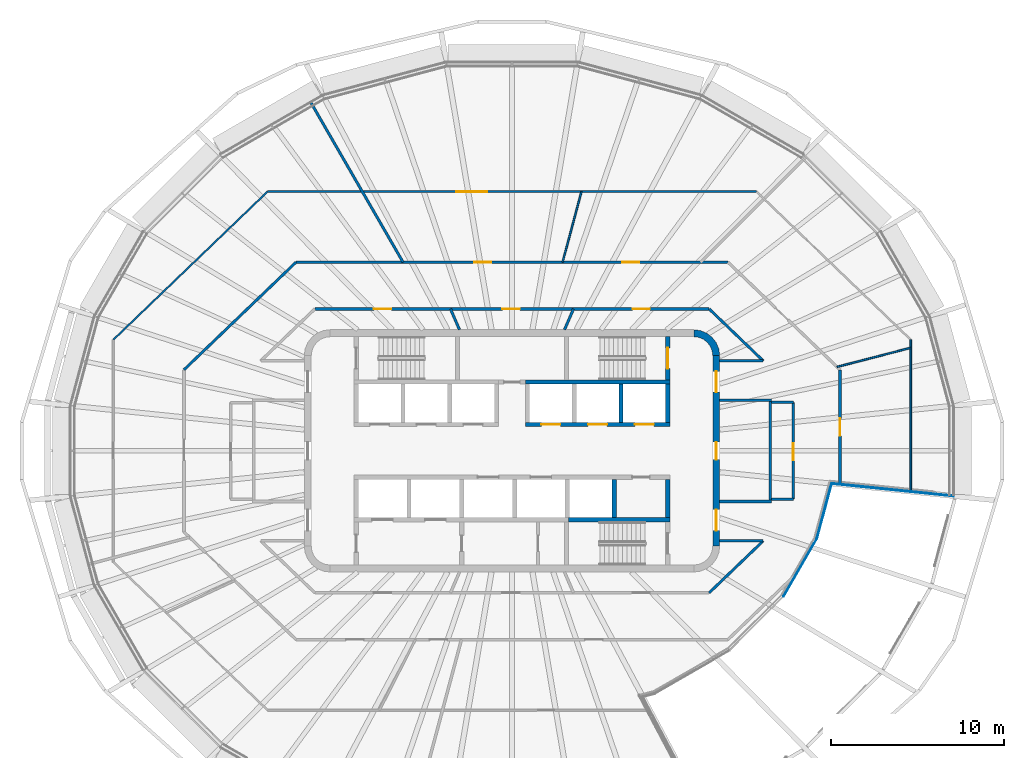
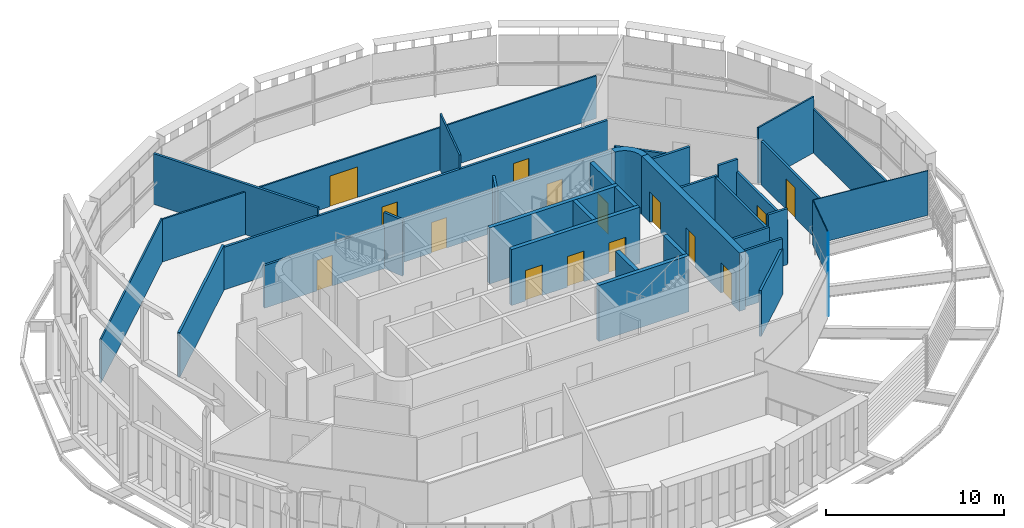
# One storey, part 10 of 18: 35 walls, 15 doors, 15 openings.
"""IFC4 building model written with IfcOpenShell, lengths in metres."""

import ifcopenshell
import ifcopenshell.guid

model = None  # the IFC model being written
_history = None  # IfcOwnerHistory: only IFC2X3 demands one
_inside = {}  # id of a spatial element -> (the spatial element, [elements in it])
_under = {}  # id of a project, library or spatial element -> (it, [spatial elements below it])
_declared = {}  # id of a project -> (the project, [libraries it declares])
_typed = {}  # id of a type object -> (the type object, [elements of that type])
_made_of = {}  # id of a material, layer set ... -> (it, [elements and type objects made of it])


def new_model(schema):
    """Start an empty IFC model of exactly this schema.

    Asked for "IFC4X3", IfcOpenShell would pick the latest addendum, in which some entities
    have other attributes; the version numbers below select the first issue.
    IFC2X3 requires an IfcOwnerHistory on every rooted entity: one is made here for all.
    """
    global model, _history
    if schema == "IFC4X3":
        model = ifcopenshell.file(schema_version=(4, 3, 0, 0))
    else:
        model = ifcopenshell.file(schema=schema)
    _inside.clear()
    _under.clear()
    _declared.clear()
    _typed.clear()
    _made_of.clear()
    _history = None
    if model.schema == "IFC2X3":
        org = make("IfcOrganization", Name="unknown")
        user = make(
            "IfcPersonAndOrganization",
            ThePerson=make("IfcPerson", FamilyName="unknown"),
            TheOrganization=org,
        )
        app = make(
            "IfcApplication",
            ApplicationDeveloper=org,
            Version="unknown",
            ApplicationFullName="unknown",
            ApplicationIdentifier="unknown",
        )
        _history = make(
            "IfcOwnerHistory",
            OwningUser=user,
            OwningApplication=app,
            ChangeAction="ADDED",
            CreationDate=0,
        )
    return model


def make(cls, **values):
    """One entity of the class cls with the attributes given. An attribute that is None is left unset."""
    return model.create_entity(
        cls, **{name: value for name, value in values.items() if value is not None}
    )


def rooted(cls, **values):
    """An entity with a GlobalId (a new one), such as an element, a storey or a relation."""
    return make(cls, GlobalId=ifcopenshell.guid.new(), OwnerHistory=_history, **values)


def si_unit(unit_type, name, prefix=None):
    """IfcSIUnit, for example si_unit("LENGTHUNIT", "METRE", prefix="MILLI")."""
    return make("IfcSIUnit", UnitType=unit_type, Prefix=prefix, Name=name)


def assignment(units):
    """IfcUnitAssignment: the units of a project."""
    return None if units is None else make("IfcUnitAssignment", Units=units)


def point(xyz):
    """IfcCartesianPoint."""
    return None if xyz is None else make("IfcCartesianPoint", Coordinates=xyz)


def direction(xyz):
    """IfcDirection."""
    return None if xyz is None else make("IfcDirection", DirectionRatios=xyz)


def frame(location, z_axis=None, x_axis=None):
    """IfcAxis2Placement3D, a coordinate frame: its origin and axes. An axis left out is left unset."""
    return make(
        "IfcAxis2Placement3D",
        Location=point(location),
        Axis=direction(z_axis),
        RefDirection=direction(x_axis),
    )


def frame_2d(location, x_axis=None):
    """IfcAxis2Placement2D, a coordinate frame in the plane: its origin and x axis."""
    return make(
        "IfcAxis2Placement2D", Location=point(location), RefDirection=direction(x_axis)
    )


def origin():
    """The frame at (0, 0, 0) with its axes left unset."""
    return frame((0.0, 0.0, 0.0))


def place(relative_to, where):
    """IfcLocalPlacement: puts the frame where relative to a parent placement (None: the world)."""
    return make(
        "IfcLocalPlacement", PlacementRelTo=relative_to, RelativePlacement=where
    )


def context(
    kind, dimensions, precision=None, world=None, true_north=None, identifier=None
):
    """IfcGeometricRepresentationContext, for example the 3D "Model" context."""
    return make(
        "IfcGeometricRepresentationContext",
        ContextIdentifier=identifier,
        ContextType=kind,
        CoordinateSpaceDimension=dimensions,
        Precision=precision,
        WorldCoordinateSystem=world,
        TrueNorth=true_north,
    )


def subcontext(parent, identifier, kind, view, scale=None):
    """IfcGeometricRepresentationSubContext, for example "Body" below "Model"."""
    return make(
        "IfcGeometricRepresentationSubContext",
        ContextIdentifier=identifier,
        ContextType=kind,
        ParentContext=parent,
        TargetScale=scale,
        TargetView=view,
    )


def project(units=None, contexts=None):
    """IfcProject with its units and contexts."""
    return rooted(
        "IfcProject",
        Name="project",
        RepresentationContexts=contexts,
        UnitsInContext=assignment(units),
    )


def spatial(cls, under=None, at=None, **own):
    """A site, building, storey or space (cls), placed at a placement, below another one or the project."""
    s = rooted(cls, ObjectPlacement=at, **own)
    if under is not None:
        _under.setdefault(under.id(), (under, []))[1].append(s)
    return s


def polyline(points):
    """IfcPolyline through the points."""
    return make("IfcPolyline", Points=[point(p) for p in points])


def profile(cls, at=None, kind="AREA", **sizes):
    """A parametric profile (cls). Its sizes go by their IFC names, for example OverallWidth=200.0."""
    return make(cls, ProfileType=kind, Position=at, **sizes)


def rectangle(**sizes):
    """IfcRectangleProfileDef."""
    return profile("IfcRectangleProfileDef", **sizes)


def outline(outer, holes=None, kind="AREA"):
    """IfcArbitraryClosedProfileDef: a profile drawn as a closed curve; with holes, ...WithVoids."""
    if holes is None:
        return make("IfcArbitraryClosedProfileDef", ProfileType=kind, OuterCurve=outer)
    return make(
        "IfcArbitraryProfileDefWithVoids",
        ProfileType=kind,
        OuterCurve=outer,
        InnerCurves=holes,
    )


def extrude(swept, where, along, depth):
    """IfcExtrudedAreaSolid: the profile swept, set in the frame where, extruded along a direction by depth."""
    return make(
        "IfcExtrudedAreaSolid",
        SweptArea=swept,
        Position=where,
        ExtrudedDirection=direction(along),
        Depth=depth,
    )


def shape(context_of_items, identifier, shape_type, items):
    """IfcShapeRepresentation: the items that make up one representation, for example the "Body"."""
    return make(
        "IfcShapeRepresentation",
        ContextOfItems=context_of_items,
        RepresentationIdentifier=identifier,
        RepresentationType=shape_type,
        Items=items,
    )


def material(Name=None, Category=None):
    """IfcMaterial."""
    return make("IfcMaterial", Name=Name, Category=Category)


def layer(
    of_material, thickness, ventilated=None, Name=None, Category=None, Priority=None
):
    """IfcMaterialLayer: one layer of a wall or slab, of a material (None: an air gap)."""
    return make(
        "IfcMaterialLayer",
        Material=of_material,
        LayerThickness=thickness,
        IsVentilated=ventilated,
        Name=Name,
        Category=Category,
        Priority=Priority,
    )


def layer_set(layers, Name=None):
    """IfcMaterialLayerSet."""
    return make("IfcMaterialLayerSet", MaterialLayers=layers, LayerSetName=Name)


def made_of(thing, what):
    """Note that an element or type object is made of a material, layer set ...; save() writes the relation."""
    if what is not None:
        _made_of.setdefault(what.id(), (what, []))[1].append(thing)
    return thing


def type_object(cls, material=None, **own):
    """A type object (cls), such as IfcWallType, which elements share."""
    return made_of(rooted(cls, **own), material)


def element(
    cls,
    number,
    at=None,
    inside=None,
    cuts=None,
    type_object=None,
    material=None,
    context=None,
    identifier="Body",
    shape_type=None,
    held_by="IfcProductDefinitionShape",
    body=None,
    shapes=None,
    **own,
):
    """One element of the class cls, such as IfcWall. Its Tag is "e" and its number.

    at: its placement. inside: the storey or other place that contains it. cuts: it is an
    opening in that element (IfcRelVoidsElement). A single representation is given by context,
    identifier, shape_type and body (its items); several are given by shapes. held_by: the class
    of the entity that holds the representations. save() writes the other relations.
    """
    e = rooted(cls, Tag="e%d" % number, ObjectPlacement=at, **own)
    if body is not None:
        shapes = [shape(context, identifier, shape_type, body)]
    if shapes is not None:
        e.Representation = make(held_by, Representations=shapes)
    if inside is not None:
        _inside.setdefault(inside.id(), (inside, []))[1].append(e)
    if cuts is not None:
        rooted(
            "IfcRelVoidsElement", RelatingBuildingElement=cuts, RelatedOpeningElement=e
        )
    if type_object is not None:
        _typed.setdefault(type_object.id(), (type_object, []))[1].append(e)
    return made_of(e, material)


def fill(opening, filler):
    """IfcRelFillsElement: the door or window that sits in an opening."""
    return rooted(
        "IfcRelFillsElement",
        RelatingOpeningElement=opening,
        RelatedBuildingElement=filler,
    )


def aggregate(whole, parts):
    """IfcRelAggregates: a whole, such as a stair, and the parts it consists of."""
    return rooted("IfcRelAggregates", RelatingObject=whole, RelatedObjects=parts)


def save(model, path):
    """Write the relations noted so far, then the file.

    IfcRelAggregates (storeys below a building ...), IfcRelContainedInSpatialStructure (elements
    in a storey), IfcRelDefinesByType, IfcRelAssociatesMaterial and IfcRelDeclares: one each for
    every whole, place, type object, material and project.
    """
    for whole, parts in _under.values():
        aggregate(whole, parts)
    for where, things in _inside.values():
        rooted(
            "IfcRelContainedInSpatialStructure",
            RelatedElements=things,
            RelatingStructure=where,
        )
    for kind, things in _typed.values():
        rooted("IfcRelDefinesByType", RelatedObjects=things, RelatingType=kind)
    for what, things in _made_of.values():
        rooted("IfcRelAssociatesMaterial", RelatedObjects=things, RelatingMaterial=what)
    for by, libraries in _declared.values():
        rooted("IfcRelDeclares", RelatingContext=by, RelatedDefinitions=libraries)
    model.write(path)


model = new_model("IFC4")

# Units and contexts
model_context = context("Model", 3, precision=1e-05, world=origin(), true_north=direction((0.0, 1.0)))
body_context = subcontext(model_context, "Body", "Model", "MODEL_VIEW")
ifc_project = project(units=[si_unit("LENGTHUNIT", "METRE"), si_unit("AREAUNIT", "SQUARE_METRE"), si_unit("VOLUMEUNIT", "CUBIC_METRE"), si_unit("PLANEANGLEUNIT", "RADIAN"), si_unit("MASSUNIT", "GRAM", prefix="KILO")], contexts=[model_context])

# Site, building, storey
site_placement = place(None, origin())
site = spatial("IfcSite", under=ifc_project, at=site_placement, CompositionType="ELEMENT")
building_placement = place(site_placement, origin())
building = spatial("IfcBuilding", under=site, at=building_placement, Name="Sahrelin Media Tower", CompositionType="ELEMENT")
storey_placement = place(building_placement, frame((0.0, 0.0, 312.39990234375)))
storey = spatial("IfcBuildingStorey", under=building, at=storey_placement, Name="L69", CompositionType="ELEMENT", Elevation=312.39990234375)

# Wall, openings, doors
ifc_material_1 = material(Name="Concrete C60/75", Category="concrete")
ifc_layer_1 = layer(ifc_material_1, 0.39990234375)
ifc_layer_set_1 = layer_set([ifc_layer_1], Name="Core wall 400")
wall_type_1 = type_object("IfcWallType", Name="Core wall 400", PredefinedType="SHEAR", material=ifc_layer_set_1)
wall_1_placement = place(storey_placement, frame((11.800048828125, -5.5, 0.0), z_axis=(0.0, 0.0, 1.0), x_axis=(0.0, 1.0, 0.0)))
wall_1 = element("IfcWall", 1, at=wall_1_placement, inside=storey, type_object=wall_type_1, Name="Core wall E L69", PredefinedType="SHEAR", context=body_context, shape_type="SweptSolid", body=[
    extrude(rectangle(XDim=11.0, YDim=0.39990234375, at=frame_2d((5.5, 0.0))), origin(), (0.0, 0.0, 1.0), 4.0),
])
opening_1_placement = place(wall_1_placement, frame((5.0, 0.0, 0.0)))
opening_1 = element("IfcOpeningElement", 2, at=opening_1_placement, cuts=wall_1, Name="Opening L69-D10", PredefinedType="OPENING", context=body_context, shape_type="SweptSolid", body=[
    extrude(rectangle(XDim=1.0, YDim=2.10009765625, at=frame_2d((0.5, 1.050048828125))), frame((0.0, 0.199951171875, 0.0), z_axis=(0.0, -1.0, 0.0), x_axis=(1.0, 0.0, 0.0)), (0.0, 0.0, 1.0), 0.39990234375),
])
opening_2_placement = place(wall_1_placement, frame((0.89990234375, 0.0, 0.0)))
opening_2 = element("IfcOpeningElement", 3, at=opening_2_placement, cuts=wall_1, Name="Opening L69-D13", PredefinedType="OPENING", context=body_context, shape_type="SweptSolid", body=[
    extrude(rectangle(XDim=1.199951171875, YDim=2.10009765625, at=frame_2d((0.60009765625, 1.050048828125))), frame((0.0, 0.199951171875, 0.0), z_axis=(0.0, -1.0, 0.0), x_axis=(1.0, 0.0, 0.0)), (0.0, 0.0, 1.0), 0.39990234375),
])
opening_3_placement = place(wall_1_placement, frame((8.89990234375, 0.0, 0.0)))
opening_3 = element("IfcOpeningElement", 4, at=opening_3_placement, cuts=wall_1, Name="Opening L69-D14", PredefinedType="OPENING", context=body_context, shape_type="SweptSolid", body=[
    extrude(rectangle(XDim=1.199951171875, YDim=2.10009765625, at=frame_2d((0.60009765625, 1.050048828125))), frame((0.0, 0.199951171875, 0.0), z_axis=(0.0, -1.0, 0.0), x_axis=(1.0, 0.0, 0.0)), (0.0, 0.0, 1.0), 0.39990234375),
])
ifc_material_2 = material(Name="Steel fire door leaf", Category="steel")
door_type_1 = type_object("IfcDoorType", Name="Fire door 1000 x 2100 EI 60", OperationType="NOTDEFINED", PredefinedType="DOOR", material=ifc_material_2)
door_1_placement = place(opening_1_placement, origin())
door_1 = element("IfcDoor", 5, at=door_1_placement, inside=storey, type_object=door_type_1, Name="Core room door", OperationType="SINGLE_SWING_RIGHT", OverallHeight=2.10009765625, OverallWidth=1.0, PredefinedType="DOOR", context=body_context, shape_type="SweptSolid", body=[
    extrude(rectangle(XDim=1.0, YDim=2.10009765625, at=frame_2d((0.5, 1.050048828125))), frame((0.0, 0.02490234375, 0.0), z_axis=(0.0, -1.0, 0.0), x_axis=(1.0, 0.0, 0.0)), (0.0, 0.0, 1.0), 0.050048828125),
])
fill(opening_1, door_1)
door_type_2 = type_object("IfcDoorType", Name="Lobby door 1200 x 2100 EI 60", OperationType="NOTDEFINED", PredefinedType="DOOR", material=ifc_material_2)
door_2_placement = place(opening_2_placement, origin())
door_2 = element("IfcDoor", 6, at=door_2_placement, inside=storey, type_object=door_type_2, Name="Lobby door", OperationType="SINGLE_SWING_LEFT", OverallHeight=2.10009765625, OverallWidth=1.199951171875, PredefinedType="DOOR", context=body_context, shape_type="SweptSolid", body=[
    extrude(rectangle(XDim=1.199951171875, YDim=2.10009765625, at=frame_2d((0.60009765625, 1.050048828125))), frame((0.0, 0.02490234375, 0.0), z_axis=(0.0, -1.0, 0.0), x_axis=(1.0, 0.0, 0.0)), (0.0, 0.0, 1.0), 0.050048828125),
])
fill(opening_2, door_2)
door_3_placement = place(opening_3_placement, origin())
door_3 = element("IfcDoor", 7, at=door_3_placement, inside=storey, type_object=door_type_2, Name="Lobby door", OperationType="SINGLE_SWING_LEFT", OverallHeight=2.10009765625, OverallWidth=1.199951171875, PredefinedType="DOOR", context=body_context, shape_type="SweptSolid", body=[
    extrude(rectangle(XDim=1.199951171875, YDim=2.10009765625, at=frame_2d((0.60009765625, 1.050048828125))), frame((0.0, 0.02490234375, 0.0), z_axis=(0.0, -1.0, 0.0), x_axis=(1.0, 0.0, 0.0)), (0.0, 0.0, 1.0), 0.050048828125),
])
fill(opening_3, door_3)

# Walls
wall_2_placement = place(storey_placement, origin())
element("IfcWall", 8, at=wall_2_placement, inside=storey, type_object=wall_type_1, Name="Core wall corner NE L69", PredefinedType="SHEAR", context=body_context, shape_type="SweptSolid", body=[
    extrude(outline(polyline([(10.5, 7.0), (10.5, 6.596435546875), (10.78369140625, 6.55908203125), (11.04833984375, 6.44970703125), (11.275390625, 6.275390625), (11.44970703125, 6.04833984375), (11.55908203125, 5.78369140625), (11.596435546875, 5.5), (12.0, 5.5), (11.948974609375, 5.88818359375), (11.799072265625, 6.25), (11.560791015625, 6.560791015625), (11.25, 6.799072265625), (10.88818359375, 6.948974609375), (10.5, 7.0)])), origin(), (0.0, 0.0, 1.0), 4.0),
])
ifc_material_3 = material(Name="Fire-rated gypsum board partition")
ifc_layer_2 = layer(ifc_material_3, 0.14990234375)
ifc_layer_set_2 = layer_set([ifc_layer_2], Name="Fire-rated partition 150")
wall_type_2 = type_object("IfcWallType", Name="Fire-rated partition 150", PredefinedType="PARTITIONING", material=ifc_layer_set_2)
wall_3_placement = place(storey_placement, frame((14.925048828125, -2.85009765625, 0.0), z_axis=(0.0, 0.0, 1.0), x_axis=(0.0, 1.0, 0.0)))
element("IfcWall", 9, at=wall_3_placement, inside=storey, type_object=wall_type_2, Name="Core room fire partition", PredefinedType="PARTITIONING", context=body_context, shape_type="SweptSolid", body=[
    extrude(rectangle(XDim=5.7001953125, YDim=0.14990234375, at=frame_2d((2.85009765625, 0.0))), origin(), (0.0, 0.0, 1.0), 2.995361328125),
])
for number, where, z_axis, x_axis, name in (
    (10, (12.0, 2.925048828125, 0.0), (0.0, 0.0, 1.0), (1.0, 0.0, 0.0), "Core room fire partition"),
    (11, (12.0, -2.925048828125, 0.0), (0.0, 0.0, 1.0), (1.0, 0.0, 0.0), "Core room fire partition"),
):
    element("IfcWall", number, at=place(storey_placement, frame(where, z_axis=z_axis, x_axis=x_axis)), inside=storey, type_object=wall_type_2, Name=name, PredefinedType="PARTITIONING", context=body_context, shape_type="SweptSolid", body=[
        extrude(rectangle(XDim=3.0, YDim=0.14990234375, at=frame_2d((1.5, 0.0))), origin(), (0.0, 0.0, 1.0), 3.076171875),
    ])
wall_4_placement = place(storey_placement, frame((-3.552978515625, 8.198974609375, 0.0), z_axis=(0.0, 0.0, 1.0), x_axis=(0.397906243356, -0.917426085033, 0.0)))
element("IfcWall", 12, at=wall_4_placement, inside=storey, type_object=wall_type_2, Name="Wall", PredefinedType="PARTITIONING", context=body_context, shape_type="SweptSolid", body=[
    extrude(rectangle(XDim=1.306884765625, YDim=0.14990234375, at=frame_2d((0.6533203125, 0.0))), origin(), (0.0, 0.0, 1.0), 3.85009765625),
])
wall_5_placement = place(storey_placement, frame((-11.632080078125, 20.14697265625, 0.0), z_axis=(0.0, 0.0, 1.0), x_axis=(0.499965221797, -0.866045482058, 0.0)))
element("IfcWall", 13, at=wall_5_placement, inside=storey, type_object=wall_type_2, Name="Wall", PredefinedType="PARTITIONING", context=body_context, shape_type="SweptSolid", body=[
    extrude(rectangle(XDim=10.678466796875, YDim=0.14990234375, at=frame_2d((5.33935546875, 0.0))), origin(), (0.0, 0.0, 1.0), 3.47509765625),
])
wall_6_placement = place(storey_placement, frame((11.39111328125, 8.198974609375, 0.0), z_axis=(0.0, 0.0, 1.0), x_axis=(0.721311820102, -0.69261046641, 0.0)))
element("IfcWall", 14, at=wall_6_placement, inside=storey, type_object=wall_type_2, Name="Wall", PredefinedType="PARTITIONING", context=body_context, shape_type="SweptSolid", body=[
    extrude(rectangle(XDim=4.32958984375, YDim=0.14990234375, at=frame_2d((2.164794921875, 0.0))), origin(), (0.0, 0.0, 1.0), 3.152099609375),
])
wall_7_placement = place(storey_placement, frame((12.0, -5.199951171875, 0.0), z_axis=(0.0, 0.0, 1.0), x_axis=(1.0, 0.0, 0.0)))
element("IfcWall", 15, at=wall_7_placement, inside=storey, type_object=wall_type_2, Name="Wall", PredefinedType="PARTITIONING", context=body_context, shape_type="SweptSolid", body=[
    extrude(rectangle(XDim=2.513916015625, YDim=0.14990234375, at=frame_2d((1.2568359375, 0.0))), origin(), (0.0, 0.0, 1.0), 3.85009765625),
])
for number, where, z_axis, x_axis, name in (
    (16, (15.0, -2.800048828125, 0.0), (0.0, 0.0, 1.0), (1.0, 0.0, 0.0), "Wall"),
    (17, (15.0, 2.800048828125, 0.0), (0.0, 0.0, 1.0), (1.0, 0.0, 0.0), "Wall"),
):
    element("IfcWall", number, at=place(storey_placement, frame(where, z_axis=z_axis, x_axis=x_axis)), inside=storey, type_object=wall_type_2, Name=name, PredefinedType="PARTITIONING", context=body_context, shape_type="SweptSolid", body=[
        extrude(rectangle(XDim=1.25, YDim=0.14990234375, at=frame_2d((0.625, 0.0))), origin(), (0.0, 0.0, 1.0), 3.85009765625),
    ])
wall_8_placement = place(storey_placement, frame((12.0, 5.199951171875, 0.0), z_axis=(0.0, 0.0, 1.0), x_axis=(1.0, 0.0, 0.0)))
element("IfcWall", 18, at=wall_8_placement, inside=storey, type_object=wall_type_2, Name="Wall", PredefinedType="PARTITIONING", context=body_context, shape_type="SweptSolid", body=[
    extrude(rectangle(XDim=2.513916015625, YDim=0.14990234375, at=frame_2d((1.2568359375, 0.0))), origin(), (0.0, 0.0, 1.0), 3.85009765625),
])

# Wall, openings, doors
wall_9_placement = place(storey_placement, frame((-11.39111328125, 8.198974609375, 0.0), z_axis=(0.0, 0.0, 1.0), x_axis=(1.0, 0.0, 0.0)))
wall_9 = element("IfcWall", 19, at=wall_9_placement, inside=storey, type_object=wall_type_2, Name="Wall", PredefinedType="PARTITIONING", context=body_context, shape_type="SweptSolid", body=[
    extrude(rectangle(XDim=22.7822265625, YDim=0.14990234375, at=frame_2d((11.39111328125, 0.0))), origin(), (0.0, 0.0, 1.0), 2.927001953125),
])
opening_4_placement = place(wall_9_placement, frame((18.363037109375, 0.0, 0.0)))
opening_4 = element("IfcOpeningElement", 20, at=opening_4_placement, cuts=wall_9, Name="Opening L69-D19", PredefinedType="OPENING", context=body_context, shape_type="SweptSolid", body=[
    extrude(rectangle(XDim=1.0, YDim=2.10009765625, at=frame_2d((0.5, 1.050048828125))), frame((0.0, 0.074951171875, 0.0), z_axis=(0.0, -1.0, 0.0), x_axis=(1.0, 0.0, 0.0)), (0.0, 0.0, 1.0), 0.14990234375),
])
opening_5_placement = place(wall_9_placement, frame((10.8408203125, 0.0, 0.0)))
opening_5 = element("IfcOpeningElement", 21, at=opening_5_placement, cuts=wall_9, Name="Opening L69-D20", PredefinedType="OPENING", context=body_context, shape_type="SweptSolid", body=[
    extrude(rectangle(XDim=1.0, YDim=2.10009765625, at=frame_2d((0.5, 1.050048828125))), frame((0.0, 0.074951171875, 0.0), z_axis=(0.0, -1.0, 0.0), x_axis=(1.0, 0.0, 0.0)), (0.0, 0.0, 1.0), 0.14990234375),
])
opening_6_placement = place(wall_9_placement, frame((3.4189453125, 0.0, 0.0)))
opening_6 = element("IfcOpeningElement", 22, at=opening_6_placement, cuts=wall_9, Name="Opening L69-D21", PredefinedType="OPENING", context=body_context, shape_type="SweptSolid", body=[
    extrude(rectangle(XDim=1.0, YDim=2.10009765625, at=frame_2d((0.5, 1.050048828125))), frame((0.0, 0.074951171875, 0.0), z_axis=(0.0, -1.0, 0.0), x_axis=(1.0, 0.0, 0.0)), (0.0, 0.0, 1.0), 0.14990234375),
])
door_4_placement = place(opening_4_placement, origin())
door_4 = element("IfcDoor", 23, at=door_4_placement, inside=storey, type_object=door_type_1, Name="Fire door", OperationType="SINGLE_SWING_LEFT", OverallHeight=2.10009765625, OverallWidth=1.0, PredefinedType="DOOR", context=body_context, shape_type="SweptSolid", body=[
    extrude(rectangle(XDim=1.0, YDim=2.10009765625, at=frame_2d((0.5, 1.050048828125))), frame((0.0, 0.02490234375, 0.0), z_axis=(0.0, -1.0, 0.0), x_axis=(1.0, 0.0, 0.0)), (0.0, 0.0, 1.0), 0.050048828125),
])
fill(opening_4, door_4)
door_5_placement = place(opening_5_placement, origin())
door_5 = element("IfcDoor", 24, at=door_5_placement, inside=storey, type_object=door_type_1, Name="Fire door", OperationType="SINGLE_SWING_LEFT", OverallHeight=2.10009765625, OverallWidth=1.0, PredefinedType="DOOR", context=body_context, shape_type="SweptSolid", body=[
    extrude(rectangle(XDim=1.0, YDim=2.10009765625, at=frame_2d((0.5, 1.050048828125))), frame((0.0, 0.02490234375, 0.0), z_axis=(0.0, -1.0, 0.0), x_axis=(1.0, 0.0, 0.0)), (0.0, 0.0, 1.0), 0.050048828125),
])
fill(opening_5, door_5)
door_6_placement = place(opening_6_placement, origin())
door_6 = element("IfcDoor", 25, at=door_6_placement, inside=storey, type_object=door_type_1, Name="Fire door", OperationType="SINGLE_SWING_RIGHT", OverallHeight=2.10009765625, OverallWidth=1.0, PredefinedType="DOOR", context=body_context, shape_type="SweptSolid", body=[
    extrude(rectangle(XDim=1.0, YDim=2.10009765625, at=frame_2d((0.5, 1.050048828125))), frame((0.0, 0.02490234375, 0.0), z_axis=(0.0, -1.0, 0.0), x_axis=(1.0, 0.0, 0.0)), (0.0, 0.0, 1.0), 0.050048828125),
])
fill(opening_6, door_6)

wall_10_placement = place(storey_placement, frame((-12.47802734375, 10.89892578125, 0.0), z_axis=(0.0, 0.0, 1.0), x_axis=(1.0, 0.0, 0.0)))
wall_10 = element("IfcWall", 26, at=wall_10_placement, inside=storey, type_object=wall_type_2, Name="Wall", PredefinedType="PARTITIONING", context=body_context, shape_type="SweptSolid", body=[
    extrude(rectangle(XDim=24.9560546875, YDim=0.14990234375, at=frame_2d((12.47802734375, 0.0))), origin(), (0.0, 0.0, 1.0), 2.927001953125),
])
opening_7_placement = place(wall_10_placement, frame((18.837890625, 0.0, 0.0)))
opening_7 = element("IfcOpeningElement", 27, at=opening_7_placement, cuts=wall_10, Name="Opening L69-D34", PredefinedType="OPENING", context=body_context, shape_type="SweptSolid", body=[
    extrude(rectangle(XDim=1.0, YDim=2.10009765625, at=frame_2d((0.5, 1.050048828125))), frame((0.0, 0.074951171875, 0.0), z_axis=(0.0, -1.0, 0.0), x_axis=(1.0, 0.0, 0.0)), (0.0, 0.0, 1.0), 0.14990234375),
])
opening_8_placement = place(wall_10_placement, frame((10.2919921875, 0.0, 0.0)))
opening_8 = element("IfcOpeningElement", 28, at=opening_8_placement, cuts=wall_10, Name="Opening L69-D35", PredefinedType="OPENING", context=body_context, shape_type="SweptSolid", body=[
    extrude(rectangle(XDim=1.0, YDim=2.10009765625, at=frame_2d((0.5, 1.050048828125))), frame((0.0, 0.074951171875, 0.0), z_axis=(0.0, -1.0, 0.0), x_axis=(1.0, 0.0, 0.0)), (0.0, 0.0, 1.0), 0.14990234375),
])
door_7_placement = place(opening_7_placement, origin())
door_7 = element("IfcDoor", 29, at=door_7_placement, inside=storey, type_object=door_type_1, Name="Fire door", OperationType="SINGLE_SWING_LEFT", OverallHeight=2.10009765625, OverallWidth=1.0, PredefinedType="DOOR", context=body_context, shape_type="SweptSolid", body=[
    extrude(rectangle(XDim=1.0, YDim=2.10009765625, at=frame_2d((0.5, 1.050048828125))), frame((0.0, 0.02490234375, 0.0), z_axis=(0.0, -1.0, 0.0), x_axis=(1.0, 0.0, 0.0)), (0.0, 0.0, 1.0), 0.050048828125),
])
fill(opening_7, door_7)
door_8_placement = place(opening_8_placement, origin())
door_8 = element("IfcDoor", 30, at=door_8_placement, inside=storey, type_object=door_type_1, Name="Fire door", OperationType="SINGLE_SWING_RIGHT", OverallHeight=2.10009765625, OverallWidth=1.0, PredefinedType="DOOR", context=body_context, shape_type="SweptSolid", body=[
    extrude(rectangle(XDim=1.0, YDim=2.10009765625, at=frame_2d((0.5, 1.050048828125))), frame((0.0, 0.02490234375, 0.0), z_axis=(0.0, -1.0, 0.0), x_axis=(1.0, 0.0, 0.0)), (0.0, 0.0, 1.0), 0.050048828125),
])
fill(opening_8, door_8)

# Walls
wall_11_placement = place(storey_placement, frame((11.39111328125, -8.198974609375, 0.0), z_axis=(0.0, 0.0, 1.0), x_axis=(0.721256597366, 0.692667972954, 0.0)))
element("IfcWall", 31, at=wall_11_placement, inside=storey, type_object=wall_type_2, Name="Wall", PredefinedType="PARTITIONING", context=body_context, shape_type="SweptSolid", body=[
    extrude(rectangle(XDim=4.32958984375, YDim=0.14990234375, at=frame_2d((2.164794921875, 0.0))), origin(), (0.0, 0.0, 1.0), 3.152099609375),
])
wall_12_placement = place(storey_placement, frame((-18.949951171875, 4.68310546875, 0.0), z_axis=(0.0, 0.0, 1.0), x_axis=(0.721259541977, 0.692664906797, 0.0)))
element("IfcWall", 32, at=wall_12_placement, inside=storey, type_object=wall_type_2, Name="Wall", PredefinedType="PARTITIONING", context=body_context, shape_type="SweptSolid", body=[
    extrude(rectangle(XDim=8.973388671875, YDim=0.14990234375, at=frame_2d((4.48681640625, 0.0))), origin(), (0.0, 0.0, 1.0), 3.076171875),
])
wall_13_placement = place(storey_placement, frame((3.032958984375, 7.0, 0.0), z_axis=(0.0, 0.0, 1.0), x_axis=(0.397906243356, 0.917426085033, 0.0)))
element("IfcWall", 33, at=wall_13_placement, inside=storey, type_object=wall_type_2, Name="Wall", PredefinedType="PARTITIONING", context=body_context, shape_type="SweptSolid", body=[
    extrude(rectangle(XDim=1.306884765625, YDim=0.14990234375, at=frame_2d((0.6533203125, 0.0))), origin(), (0.0, 0.0, 1.0), 3.85009765625),
])

# Wall, opening, door
wall_14_placement = place(storey_placement, frame((18.949951171875, -1.94091796875, 0.0), z_axis=(0.0, 0.0, 1.0), x_axis=(0.0, 1.0, 0.0)))
wall_14 = element("IfcWall", 34, at=wall_14_placement, inside=storey, type_object=wall_type_2, Name="Wall", PredefinedType="PARTITIONING", context=body_context, shape_type="SweptSolid", body=[
    extrude(rectangle(XDim=6.6240234375, YDim=0.14990234375, at=frame_2d((3.31201171875, 0.0))), origin(), (0.0, 0.0, 1.0), 2.995361328125),
])
opening_9_placement = place(wall_14_placement, frame((2.81201171875, 0.0, 0.0)))
opening_9 = element("IfcOpeningElement", 35, at=opening_9_placement, cuts=wall_14, Name="Opening L69-D31", PredefinedType="OPENING", context=body_context, shape_type="SweptSolid", body=[
    extrude(rectangle(XDim=1.0, YDim=2.10009765625, at=frame_2d((0.5, 1.050048828125))), frame((0.0, 0.074951171875, 0.0), z_axis=(0.0, -1.0, 0.0), x_axis=(1.0, 0.0, 0.0)), (0.0, 0.0, 1.0), 0.14990234375),
])
door_9_placement = place(opening_9_placement, origin())
door_9 = element("IfcDoor", 36, at=door_9_placement, inside=storey, type_object=door_type_1, Name="Fire door", OperationType="SINGLE_SWING_RIGHT", OverallHeight=2.10009765625, OverallWidth=1.0, PredefinedType="DOOR", context=body_context, shape_type="SweptSolid", body=[
    extrude(rectangle(XDim=1.0, YDim=2.10009765625, at=frame_2d((0.5, 1.050048828125))), frame((0.0, 0.02490234375, 0.0), z_axis=(0.0, -1.0, 0.0), x_axis=(1.0, 0.0, 0.0)), (0.0, 0.0, 1.0), 0.050048828125),
])
fill(opening_9, door_9)

wall_15_placement = place(storey_placement, frame((16.25, -2.7900390625, 0.0), z_axis=(0.0, 0.0, 1.0), x_axis=(0.0, 1.0, 0.0)))
wall_15 = element("IfcWall", 37, at=wall_15_placement, inside=storey, type_object=wall_type_2, Name="Wall", PredefinedType="PARTITIONING", context=body_context, shape_type="SweptSolid", body=[
    extrude(rectangle(XDim=5.580078125, YDim=0.14990234375, at=frame_2d((2.7900390625, 0.0))), origin(), (0.0, 0.0, 1.0), 2.995361328125),
])
opening_10_placement = place(wall_15_placement, frame((2.23876953125, 0.0, 0.0)))
opening_10 = element("IfcOpeningElement", 38, at=opening_10_placement, cuts=wall_15, Name="Opening L69-D18", PredefinedType="OPENING", context=body_context, shape_type="SweptSolid", body=[
    extrude(rectangle(XDim=1.0, YDim=2.10009765625, at=frame_2d((0.5, 1.050048828125))), frame((0.0, 0.074951171875, 0.0), z_axis=(0.0, -1.0, 0.0), x_axis=(1.0, 0.0, 0.0)), (0.0, 0.0, 1.0), 0.14990234375),
])
door_10_placement = place(opening_10_placement, origin())
door_10 = element("IfcDoor", 39, at=door_10_placement, inside=storey, type_object=door_type_1, Name="Fire door", OperationType="SINGLE_SWING_LEFT", OverallHeight=2.10009765625, OverallWidth=1.0, PredefinedType="DOOR", context=body_context, shape_type="SweptSolid", body=[
    extrude(rectangle(XDim=1.0, YDim=2.10009765625, at=frame_2d((0.5, 1.050048828125))), frame((0.0, 0.02490234375, 0.0), z_axis=(0.0, -1.0, 0.0), x_axis=(1.0, 0.0, 0.0)), (0.0, 0.0, 1.0), 0.050048828125),
])
fill(opening_10, door_10)

# Walls
ifc_material_4 = material(Name="Clear glass", Category="glass")
ifc_layer_3 = layer(ifc_material_4, 0.050048828125)
ifc_layer_set_3 = layer_set([ifc_layer_3], Name="Glazed partition 50")
wall_type_3 = type_object("IfcWallType", Name="Glazed partition 50", PredefinedType="PARTITIONING", material=ifc_layer_set_3)
wall_16_placement = place(storey_placement, frame((18.462890625, -1.89111328125, 0.0), z_axis=(0.0, 0.0, 1.0), x_axis=(0.994796749693, -0.101879471925, 0.0)))
element("IfcWall", 40, at=wall_16_placement, inside=storey, type_object=wall_type_3, Name="Wall", PredefinedType="PARTITIONING", context=body_context, shape_type="SweptSolid", body=[
    extrude(rectangle(XDim=7.0908203125, YDim=0.050048828125, at=frame_2d((3.54541015625, 0.0))), origin(), (0.0, 0.0, 1.0), 3.076171875),
])
wall_17_placement = place(storey_placement, frame((15.68408203125, -8.410888671875, 0.0), z_axis=(0.0, 0.0, 1.0), x_axis=(0.49995654735, 0.86605048973, 0.0)))
element("IfcWall", 41, at=wall_17_placement, inside=storey, type_object=wall_type_3, Name="Wall", PredefinedType="PARTITIONING", context=body_context, shape_type="SweptSolid", body=[
    extrude(rectangle(XDim=3.851806640625, YDim=0.050048828125, at=frame_2d((1.92578125, 0.0))), origin(), (0.0, 0.0, 1.0), 3.076171875),
])
wall_18_placement = place(storey_placement, frame((17.610107421875, -5.074951171875, 0.0), z_axis=(0.0, 0.0, 1.0), x_axis=(0.258727446254, 0.965950365472, 0.0)))
element("IfcWall", 42, at=wall_18_placement, inside=storey, type_object=wall_type_3, Name="Wall", PredefinedType="PARTITIONING", context=body_context, shape_type="SweptSolid", body=[
    extrude(rectangle(XDim=3.296142578125, YDim=0.050048828125, at=frame_2d((1.64794921875, 0.0))), origin(), (0.0, 0.0, 1.0), 3.076171875),
])

# Wall, openings, doors
ifc_layer_4 = layer(ifc_material_1, 0.25)
ifc_layer_set_4 = layer_set([ifc_layer_4], Name="Lift shaft wall 250")
wall_type_4 = type_object("IfcWallType", Name="Lift shaft wall 250", PredefinedType="SOLIDWALL", material=ifc_layer_set_4)
wall_19_placement = place(storey_placement, frame((0.77490234375, 1.52490234375, 0.0), z_axis=(0.0, 0.0, 1.0), x_axis=(1.0, 0.0, 0.0)))
wall_19 = element("IfcWall", 43, at=wall_19_placement, inside=storey, type_object=wall_type_4, Name="Lift shaft wall", PredefinedType="SOLIDWALL", context=body_context, shape_type="SweptSolid", body=[
    extrude(rectangle(XDim=8.35009765625, YDim=0.25, at=frame_2d((4.175048828125, 0.0))), origin(), (0.0, 0.0, 1.0), 3.85009765625),
])
opening_11_placement = place(wall_19_placement, frame((0.925048828125, 0.0, 0.0)))
opening_11 = element("IfcOpeningElement", 44, at=opening_11_placement, cuts=wall_19, Name="Opening L69-LD-HR4", PredefinedType="OPENING", context=body_context, shape_type="SweptSolid", body=[
    extrude(rectangle(XDim=1.10009765625, YDim=2.10009765625, at=frame_2d((0.550048828125, 1.050048828125))), frame((0.0, 0.125, 0.0), z_axis=(0.0, -1.0, 0.0), x_axis=(1.0, 0.0, 0.0)), (0.0, 0.0, 1.0), 0.25),
])
opening_12_placement = place(wall_19_placement, frame((3.625, 0.0, 0.0)))
opening_12 = element("IfcOpeningElement", 45, at=opening_12_placement, cuts=wall_19, Name="Opening L69-LD-HR5", PredefinedType="OPENING", context=body_context, shape_type="SweptSolid", body=[
    extrude(rectangle(XDim=1.10009765625, YDim=2.10009765625, at=frame_2d((0.550048828125, 1.050048828125))), frame((0.0, 0.125, 0.0), z_axis=(0.0, -1.0, 0.0), x_axis=(1.0, 0.0, 0.0)), (0.0, 0.0, 1.0), 0.25),
])
opening_13_placement = place(wall_19_placement, frame((6.324951171875, 0.0, 0.0)))
opening_13 = element("IfcOpeningElement", 46, at=opening_13_placement, cuts=wall_19, Name="Opening L69-LD-HR6", PredefinedType="OPENING", context=body_context, shape_type="SweptSolid", body=[
    extrude(rectangle(XDim=1.10009765625, YDim=2.10009765625, at=frame_2d((0.550048828125, 1.050048828125))), frame((0.0, 0.125, 0.0), z_axis=(0.0, -1.0, 0.0), x_axis=(1.0, 0.0, 0.0)), (0.0, 0.0, 1.0), 0.25),
])
ifc_material_5 = material(Name="Stainless steel", Category="steel")
door_type_3 = type_object("IfcDoorType", Name="Lift landing door 1100 x 2100 EI 120", OperationType="DOUBLE_DOOR_SLIDING", PredefinedType="DOOR", material=ifc_material_5)
door_11_placement = place(opening_11_placement, origin())
door_11 = element("IfcDoor", 47, at=door_11_placement, inside=storey, type_object=door_type_3, Name="Lift landing door HR4", OperationType="DOUBLE_DOOR_SLIDING", OverallHeight=2.10009765625, OverallWidth=1.10009765625, PredefinedType="DOOR", context=body_context, shape_type="SweptSolid", body=[
    extrude(rectangle(XDim=1.10009765625, YDim=2.10009765625, at=frame_2d((0.550048828125, 1.050048828125))), frame((0.0, 0.02490234375, 0.0), z_axis=(0.0, -1.0, 0.0), x_axis=(1.0, 0.0, 0.0)), (0.0, 0.0, 1.0), 0.050048828125),
])
fill(opening_11, door_11)
door_12_placement = place(opening_12_placement, origin())
door_12 = element("IfcDoor", 48, at=door_12_placement, inside=storey, type_object=door_type_3, Name="Lift landing door HR5", OperationType="DOUBLE_DOOR_SLIDING", OverallHeight=2.10009765625, OverallWidth=1.10009765625, PredefinedType="DOOR", context=body_context, shape_type="SweptSolid", body=[
    extrude(rectangle(XDim=1.10009765625, YDim=2.10009765625, at=frame_2d((0.550048828125, 1.050048828125))), frame((0.0, 0.02490234375, 0.0), z_axis=(0.0, -1.0, 0.0), x_axis=(1.0, 0.0, 0.0)), (0.0, 0.0, 1.0), 0.050048828125),
])
fill(opening_12, door_12)
door_13_placement = place(opening_13_placement, origin())
door_13 = element("IfcDoor", 49, at=door_13_placement, inside=storey, type_object=door_type_3, Name="Lift landing door HR6", OperationType="DOUBLE_DOOR_SLIDING", OverallHeight=2.10009765625, OverallWidth=1.10009765625, PredefinedType="DOOR", context=body_context, shape_type="SweptSolid", body=[
    extrude(rectangle(XDim=1.10009765625, YDim=2.10009765625, at=frame_2d((0.550048828125, 1.050048828125))), frame((0.0, 0.02490234375, 0.0), z_axis=(0.0, -1.0, 0.0), x_axis=(1.0, 0.0, 0.0)), (0.0, 0.0, 1.0), 0.050048828125),
])
fill(opening_13, door_13)

# Walls
wall_20_placement = place(storey_placement, frame((0.77490234375, 3.97509765625, 0.0), z_axis=(0.0, 0.0, 1.0), x_axis=(1.0, 0.0, 0.0)))
element("IfcWall", 50, at=wall_20_placement, inside=storey, type_object=wall_type_4, Name="Lift shaft wall", PredefinedType="SOLIDWALL", context=body_context, shape_type="SweptSolid", body=[
    extrude(rectangle(XDim=8.35009765625, YDim=0.25, at=frame_2d((4.175048828125, 0.0))), origin(), (0.0, 0.0, 1.0), 3.85009765625),
])
for number, where, z_axis, x_axis, name in (
    (51, (9.0, 1.64990234375, 0.0), (0.0, 0.0, 1.0), (0.0, 1.0, 0.0), "Lift shaft wall"),
    (52, (6.300048828125, 1.64990234375, 0.0), (0.0, 0.0, 1.0), (0.0, 1.0, 0.0), "Lift shaft wall"),
):
    element("IfcWall", number, at=place(storey_placement, frame(where, z_axis=z_axis, x_axis=x_axis)), inside=storey, type_object=wall_type_4, Name=name, PredefinedType="SOLIDWALL", context=body_context, shape_type="SweptSolid", body=[
        extrude(rectangle(XDim=2.2001953125, YDim=0.25, at=frame_2d((1.10009765625, 0.0))), origin(), (0.0, 0.0, 1.0), 3.85009765625),
    ])
wall_21_placement = place(storey_placement, frame((3.27490234375, -3.97509765625, 0.0), z_axis=(0.0, 0.0, 1.0), x_axis=(1.0, 0.0, 0.0)))
element("IfcWall", 53, at=wall_21_placement, inside=storey, type_object=wall_type_4, Name="Lift shaft wall", PredefinedType="SOLIDWALL", context=body_context, shape_type="SweptSolid", body=[
    extrude(rectangle(XDim=5.85009765625, YDim=0.25, at=frame_2d((2.925048828125, 0.0))), origin(), (0.0, 0.0, 1.0), 3.85009765625),
])
for number, where, z_axis, x_axis, name in (
    (54, (5.89990234375, -3.85009765625, 0.0), (0.0, 0.0, 1.0), (0.0, 1.0, 0.0), "Lift shaft wall"),
    (55, (9.0, -3.85009765625, 0.0), (0.0, 0.0, 1.0), (0.0, 1.0, 0.0), "Lift shaft wall"),
):
    element("IfcWall", number, at=place(storey_placement, frame(where, z_axis=z_axis, x_axis=x_axis)), inside=storey, type_object=wall_type_4, Name=name, PredefinedType="SOLIDWALL", context=body_context, shape_type="SweptSolid", body=[
        extrude(rectangle(XDim=2.2001953125, YDim=0.25, at=frame_2d((1.10009765625, 0.0))), origin(), (0.0, 0.0, 1.0), 3.85009765625),
    ])

# Wall, opening, door
ifc_material_6 = material(Name="Gypsum board partition")
ifc_layer_5 = layer(ifc_material_6, 0.10009765625)
ifc_layer_set_5 = layer_set([ifc_layer_5], Name="Partition 100")
wall_type_5 = type_object("IfcWallType", Name="Partition 100", PredefinedType="PARTITIONING", material=ifc_layer_set_5)
wall_22_placement = place(storey_placement, frame((-14.1201171875, 14.97900390625, 0.0), z_axis=(0.0, 0.0, 1.0), x_axis=(1.0, 0.0, 0.0)))
wall_22 = element("IfcWall", 56, at=wall_22_placement, inside=storey, type_object=wall_type_5, Name="Wall", PredefinedType="PARTITIONING", context=body_context, shape_type="SweptSolid", body=[
    extrude(rectangle(XDim=28.240234375, YDim=0.10009765625, at=frame_2d((14.1201171875, 0.0))), origin(), (0.0, 0.0, 1.0), 2.927001953125),
])
opening_14_placement = place(wall_22_placement, frame((10.903076171875, 0.0, 0.0)))
opening_14 = element("IfcOpeningElement", 57, at=opening_14_placement, cuts=wall_22, Name="Opening L69-D36", PredefinedType="OPENING", context=body_context, shape_type="SweptSolid", body=[
    extrude(rectangle(XDim=1.800048828125, YDim=2.10009765625, at=frame_2d((0.89990234375, 1.050048828125))), frame((0.0, 0.050048828125, 0.0), z_axis=(0.0, -1.0, 0.0), x_axis=(1.0, 0.0, 0.0)), (0.0, 0.0, 1.0), 0.10009765625),
])
ifc_material_7 = material(Name="Timber door leaf", Category="wood")
door_type_4 = type_object("IfcDoorType", Name="Double door 1800 x 2100", OperationType="DOUBLE_DOOR_SINGLE_SWING", PredefinedType="DOOR", material=ifc_material_7)
door_14_placement = place(opening_14_placement, origin())
door_14 = element("IfcDoor", 58, at=door_14_placement, inside=storey, type_object=door_type_4, Name="Double door", OperationType="DOUBLE_DOOR_SINGLE_SWING", OverallHeight=2.10009765625, OverallWidth=1.800048828125, PredefinedType="DOOR", context=body_context, shape_type="SweptSolid", body=[
    extrude(rectangle(XDim=1.800048828125, YDim=2.10009765625, at=frame_2d((0.89990234375, 1.050048828125))), frame((0.0, 0.02490234375, 0.0), z_axis=(0.0, -1.0, 0.0), x_axis=(1.0, 0.0, 0.0)), (0.0, 0.0, 1.0), 0.050048828125),
])
fill(opening_14, door_14)

# Walls
wall_23_placement = place(storey_placement, frame((18.77392578125, 4.85205078125, 0.0), z_axis=(0.0, 0.0, 1.0), x_axis=(0.968194478258, 0.250198825478, 0.0)))
element("IfcWall", 59, at=wall_23_placement, inside=storey, type_object=wall_type_5, Name="Wall", PredefinedType="PARTITIONING", context=body_context, shape_type="SweptSolid", body=[
    extrude(rectangle(XDim=4.39599609375, YDim=0.10009765625, at=frame_2d((2.197998046875, 0.0))), origin(), (0.0, 0.0, 1.0), 3.85009765625),
])
wall_24_placement = place(storey_placement, frame((-23.030029296875, 6.4208984375, 0.0), z_axis=(0.0, 0.0, 1.0), x_axis=(0.721201690213, 0.692725141765, 0.0)))
element("IfcWall", 60, at=wall_24_placement, inside=storey, type_object=wall_type_5, Name="Wall", PredefinedType="PARTITIONING", context=body_context, shape_type="SweptSolid", body=[
    extrude(rectangle(XDim=12.354248046875, YDim=0.10009765625, at=frame_2d((6.17724609375, 0.0))), origin(), (0.0, 0.0, 1.0), 2.995361328125),
])
wall_25_placement = place(storey_placement, frame((2.9208984375, 10.89892578125, 0.0), z_axis=(0.0, 0.0, 1.0), x_axis=(0.258766902147, 0.965939796444, 0.0)))
element("IfcWall", 61, at=wall_25_placement, inside=storey, type_object=wall_type_5, Name="Wall", PredefinedType="PARTITIONING", context=body_context, shape_type="SweptSolid", body=[
    extrude(rectangle(XDim=4.223876953125, YDim=0.10009765625, at=frame_2d((2.11181640625, 0.0))), origin(), (0.0, 0.0, 1.0), 3.85009765625),
])
wall_26_placement = place(storey_placement, frame((23.030029296875, -2.35791015625, 0.0), z_axis=(0.0, 0.0, 1.0), x_axis=(0.0, 1.0, 0.0)))
element("IfcWall", 62, at=wall_26_placement, inside=storey, type_object=wall_type_5, Name="Wall", PredefinedType="PARTITIONING", context=body_context, shape_type="SweptSolid", body=[
    extrude(rectangle(XDim=8.77880859375, YDim=0.10009765625, at=frame_2d((4.389404296875, 0.0))), origin(), (0.0, 0.0, 1.0), 2.995361328125),
])

# Wall, opening, door
ifc_layer_6 = layer(ifc_material_1, 0.25)
ifc_layer_set_6 = layer_set([ifc_layer_6], Name="Stair enclosure wall 250")
wall_type_6 = type_object("IfcWallType", Name="Stair enclosure wall 250", PredefinedType="SOLIDWALL", material=ifc_layer_set_6)
wall_27_placement = place(storey_placement, frame((9.0, 4.10009765625, 0.0), z_axis=(0.0, 0.0, 1.0), x_axis=(0.0, 1.0, 0.0)))
wall_27 = element("IfcWall", 63, at=wall_27_placement, inside=storey, type_object=wall_type_6, Name="Stair enclosure wall", PredefinedType="SOLIDWALL", context=body_context, shape_type="SweptSolid", body=[
    extrude(rectangle(XDim=2.5, YDim=0.25, at=frame_2d((1.25, 0.0))), origin(), (0.0, 0.0, 1.0), 3.85009765625),
])
opening_15_placement = place(wall_27_placement, frame((0.64990234375, 0.0, 0.0)))
opening_15 = element("IfcOpeningElement", 64, at=opening_15_placement, cuts=wall_27, Name="Opening L69-D02", PredefinedType="OPENING", context=body_context, shape_type="SweptSolid", body=[
    extrude(rectangle(XDim=1.199951171875, YDim=2.10009765625, at=frame_2d((0.60009765625, 1.050048828125))), frame((0.0, 0.125, 0.0), z_axis=(0.0, -1.0, 0.0), x_axis=(1.0, 0.0, 0.0)), (0.0, 0.0, 1.0), 0.25),
])
door_type_5 = type_object("IfcDoorType", Name="Stair door 1200 x 2100 EI 120", OperationType="NOTDEFINED", PredefinedType="DOOR", material=ifc_material_2)
door_15_placement = place(opening_15_placement, origin())
door_15 = element("IfcDoor", 65, at=door_15_placement, inside=storey, type_object=door_type_5, Name="Stair door ST3", OperationType="SINGLE_SWING_LEFT", OverallHeight=2.10009765625, OverallWidth=1.199951171875, PredefinedType="DOOR", context=body_context, shape_type="SweptSolid", body=[
    extrude(rectangle(XDim=1.199951171875, YDim=2.10009765625, at=frame_2d((0.60009765625, 1.050048828125))), frame((0.0, 0.02490234375, 0.0), z_axis=(0.0, -1.0, 0.0), x_axis=(1.0, 0.0, 0.0)), (0.0, 0.0, 1.0), 0.050048828125),
])
fill(opening_15, door_15)

save(model, "model.ifc")
